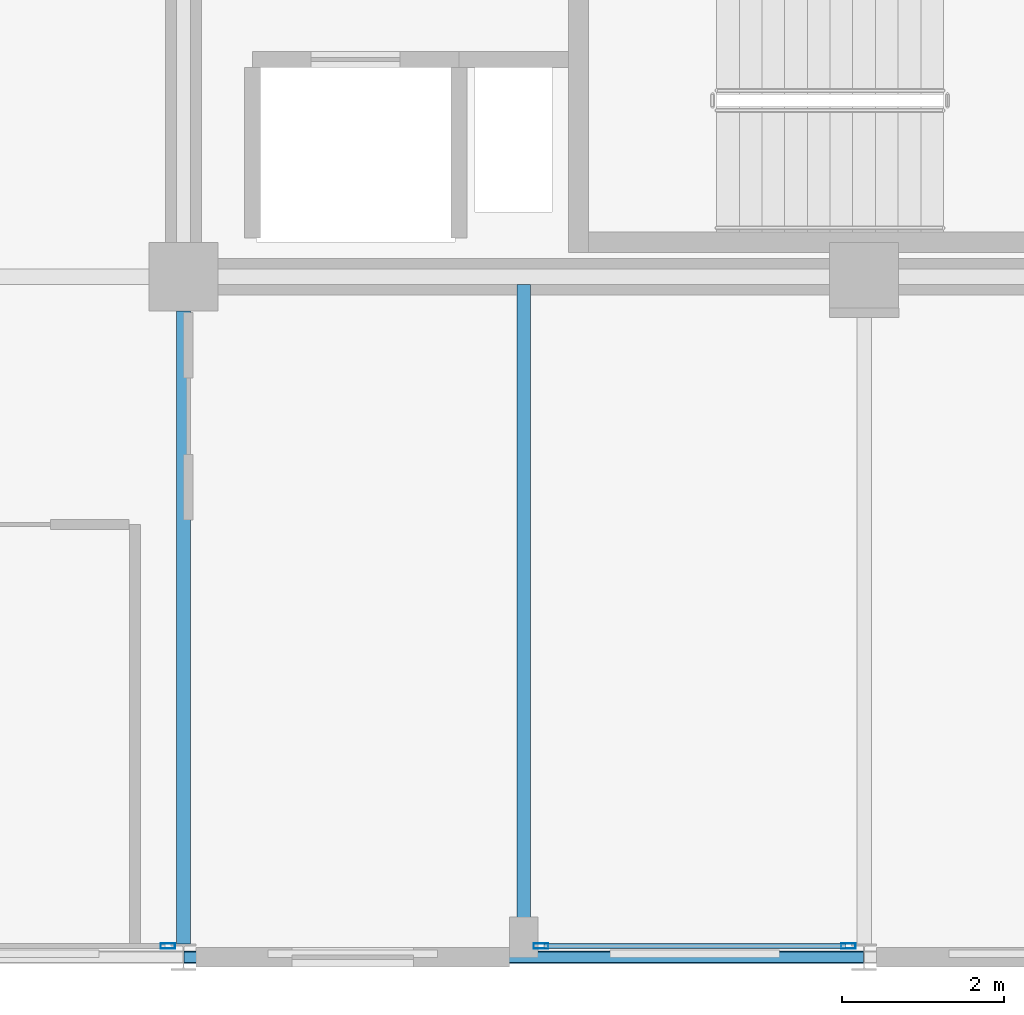
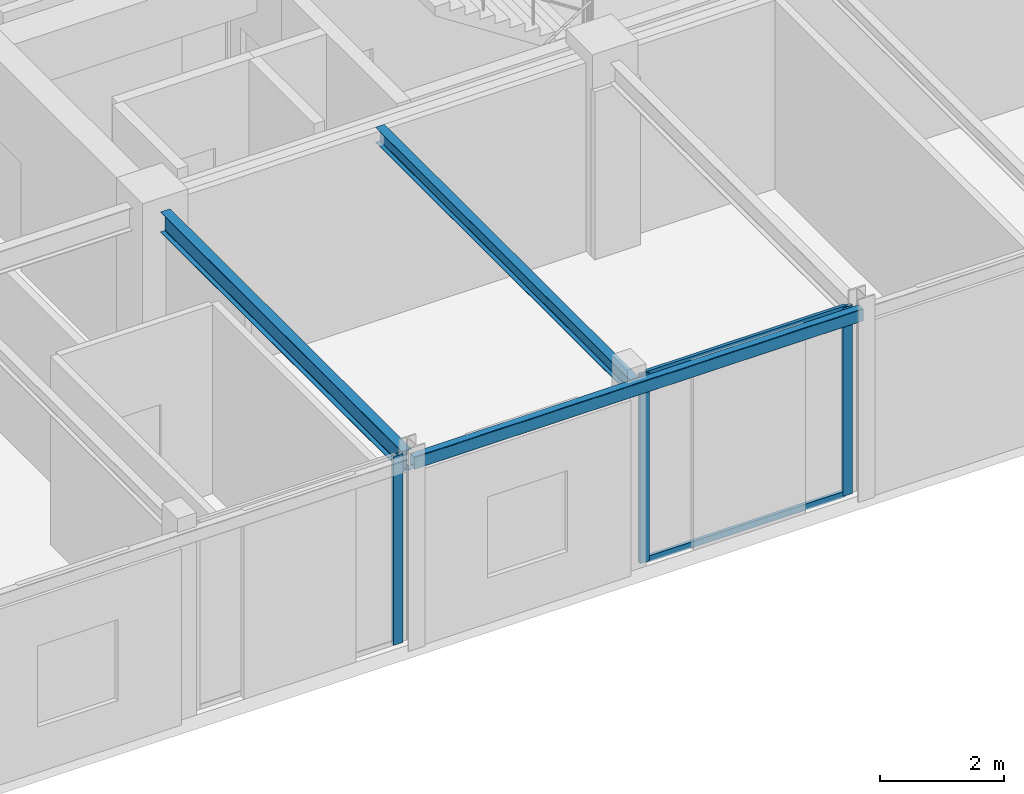
# One storey, part 7 of 26: 5 members, 3 beams, 2 elements without a shape of their own.
"""IFC4 building model written with IfcOpenShell, lengths in metres."""

from ifc_helpers import new_model, si_unit, direction, frame, origin, origin_2d, place, context, subcontext, project, spatial, hollow_rectangle, i_section, extrude, material, layer, layer_set, material_profile, profile_set, type_object, element, aggregate, save


model = new_model("IFC4")

# Units and contexts
model_context = context("Model", 3, precision=1e-05, world=origin(), true_north=direction((0.0, 1.0)))
body_context = subcontext(model_context, "Body", "Model", "MODEL_VIEW")
ifc_project = project(units=[si_unit("LENGTHUNIT", "METRE"), si_unit("AREAUNIT", "SQUARE_METRE"), si_unit("VOLUMEUNIT", "CUBIC_METRE"), si_unit("PLANEANGLEUNIT", "RADIAN"), si_unit("MASSUNIT", "GRAM", prefix="KILO")], contexts=[model_context])

# Site, building, storey
site_placement = place(None, origin())
site = spatial("IfcSite", under=ifc_project, at=site_placement, CompositionType="ELEMENT")
building_placement = place(site_placement, origin())
building = spatial("IfcBuilding", under=site, at=building_placement, Name="Nerrivon Quay Data Exchange", CompositionType="ELEMENT")
storey_placement = place(building_placement, frame((0.0, 0.0, 270.199951171875)))
storey = spatial("IfcBuildingStorey", under=building, at=storey_placement, Name="L64", CompositionType="ELEMENT", Elevation=270.199951171875)

# Beams
ifc_material_1 = material(Name="Steel Grade 350", Category="steel")
ifc_material_profile_1 = material_profile(ifc_material_1, i_section(OverallWidth=0.177978515625, OverallDepth=0.406005859375, WebThickness=0.0078125, FlangeThickness=0.0126953125, FilletRadius=0.011474609375, at=origin_2d()), Name="410UB59.7")
ifc_profile_set_1 = profile_set([ifc_material_profile_1], Name="Steel Grade 350")
beam_type_1 = type_object("IfcBeamType", Name="BM-J1-410UB60", PredefinedType="JOIST", material=ifc_profile_set_1)
beam_1_placement = place(storey_placement, frame((16.800048828125, 0.16357421875, 3.52197265625), z_axis=(0.0, 1.0, 0.0), x_axis=(-1.0, 0.0, 0.0)))
element("IfcBeam", 1, at=beam_1_placement, inside=storey, type_object=beam_type_1, Name="L64 NS Girder X=16.8 (0.0..8.4)", PredefinedType="JOIST", context=body_context, shape_type="SweptSolid", body=[
    extrude(i_section(OverallWidth=0.177978515625, OverallDepth=0.406005859375, WebThickness=0.0078125, FlangeThickness=0.0126953125, FilletRadius=0.011474609375, at=origin_2d()), origin(), (0.0, 0.0, 1.0), 7.8115234375),
])
ifc_material_profile_2 = material_profile(ifc_material_1, i_section(OverallWidth=0.1650390625, OverallDepth=0.303955078125, WebThickness=0.006103515625, FlangeThickness=0.01025390625, FilletRadius=0.011474609375, at=origin_2d()), Name="310UB40.4")
ifc_profile_set_2 = profile_set([ifc_material_profile_2], Name="Steel Grade 350")
beam_type_2 = type_object("IfcBeamType", Name="BM-J6-310UB40", PredefinedType="JOIST", material=ifc_profile_set_2)
beam_2_placement = place(storey_placement, frame((21.0, 0.074951171875, 3.572998046875), z_axis=(0.0, 1.0, 0.0), x_axis=(-1.0, 0.0, 0.0)))
element("IfcBeam", 2, at=beam_2_placement, inside=storey, type_object=beam_type_2, Name="L64 Secondary Joist X=21.0 (0.0..8.4)", PredefinedType="JOIST", context=body_context, shape_type="SweptSolid", body=[
    extrude(i_section(OverallWidth=0.1650390625, OverallDepth=0.303955078125, WebThickness=0.006103515625, FlangeThickness=0.01025390625, FilletRadius=0.011474609375, at=origin_2d()), origin(), (0.0, 0.0, 1.0), 8.22998046875),
])
ifc_material_2 = material(Name="Steel Grade C350L0 (350 MPa)", Category="steel")
ifc_material_profile_3 = material_profile(ifc_material_2, hollow_rectangle(XDim=0.14990234375, YDim=0.25, WallThickness=0.009033203125, InnerFilletRadius=0.013427734375, OuterFilletRadius=0.0224609375, at=origin_2d()), Name="250x150x9.0RHS")
ifc_profile_set_3 = profile_set([ifc_material_profile_3], Name="Steel Grade C350L0 (350 MPa)")
beam_type_3 = type_object("IfcBeamType", Name="BM-SP4-250x150RHS", PredefinedType="SPANDREL", material=ifc_profile_set_3)
beam_3_placement = place(storey_placement, frame((16.807861328125, 0.0, 3.60009765625), z_axis=(1.0, 0.0, 0.0), x_axis=(0.0, 1.0, 0.0)))
element("IfcBeam", 3, at=beam_3_placement, inside=storey, type_object=beam_type_3, Name="L64 EW Girder Y=0.0 (16.8..25.2)", PredefinedType="SPANDREL", context=body_context, shape_type="SweptSolid", body=[
    extrude(hollow_rectangle(XDim=0.14990234375, YDim=0.25, WallThickness=0.009033203125, InnerFilletRadius=0.013427734375, OuterFilletRadius=0.0224609375, at=origin_2d()), origin(), (0.0, 0.0, 1.0), 8.38427734375),
])

# Curtain wall, members
ifc_material_3 = material(Name="Anodised aluminium 6063-T6", Category="aluminium")
ifc_layer = layer(ifc_material_3, 0.195068359375)
ifc_layer_set = layer_set([ifc_layer], Name="Anodised aluminium 6063-T6")
curtain_wall_type = type_object("IfcCurtainWallType", Name="CW-SYS-06", PredefinedType="NOTDEFINED", material=ifc_layer_set)
curtain_wall_1_placement = place(storey_placement, origin())
curtain_wall_1 = element("IfcCurtainWall", 4, at=curtain_wall_1_placement, inside=storey, type_object=curtain_wall_type, Name="L64 Unitised Curtain Wall 4", PredefinedType="NOTDEFINED")
ifc_material_profile_4 = material_profile(ifc_material_3, hollow_rectangle(XDim=0.06494140625, YDim=0.179931640625, WallThickness=0.00341796875, at=origin_2d()), Name="ALU-MULL-180x65")
ifc_profile_set_4 = profile_set([ifc_material_profile_4], Name="Anodised aluminium 6063-T6")
member_type_1 = type_object("IfcMemberType", Name="CWM-180x65", PredefinedType="MULLION", material=ifc_profile_set_4)
member_1_placement = place(storey_placement, frame((25.007080078125, 0.139892578125, 0.0), z_axis=(0.0, 0.0, 1.0), x_axis=(0.0, -1.0, 0.0)))
member_1 = element("IfcMember", 5, at=member_1_placement, type_object=member_type_1, Name="CW06 mullion 1", PredefinedType="MULLION", context=body_context, shape_type="SweptSolid", body=[
    extrude(hollow_rectangle(XDim=0.06494140625, YDim=0.179931640625, WallThickness=0.00341796875, at=origin_2d()), origin(), (0.0, 0.0, 1.0), 3.72509765625),
])
member_2_placement = place(storey_placement, frame((21.21240234375, 0.139892578125, 0.0), z_axis=(0.0, 0.0, 1.0), x_axis=(0.0, -1.0, 0.0)))
member_2 = element("IfcMember", 6, at=member_2_placement, type_object=member_type_1, Name="CW06 mullion 2", PredefinedType="MULLION", context=body_context, shape_type="SweptSolid", body=[
    extrude(hollow_rectangle(XDim=0.06494140625, YDim=0.179931640625, WallThickness=0.00341796875, at=origin_2d()), origin(), (0.0, 0.0, 1.0), 3.72509765625),
])

# Curtain wall, member
curtain_wall_2_placement = place(storey_placement, origin())
curtain_wall_2 = element("IfcCurtainWall", 7, at=curtain_wall_2_placement, inside=storey, type_object=curtain_wall_type, Name="L64 Unitised Curtain Wall 6", PredefinedType="NOTDEFINED")
member_3_placement = place(storey_placement, frame((16.60693359375, 0.139892578125, 0.0), z_axis=(0.0, 0.0, 1.0), x_axis=(0.0, -1.0, 0.0)))
member_3 = element("IfcMember", 8, at=member_3_placement, type_object=member_type_1, Name="CW06 mullion 1", PredefinedType="MULLION", context=body_context, shape_type="SweptSolid", body=[
    extrude(hollow_rectangle(XDim=0.06494140625, YDim=0.179931640625, WallThickness=0.00341796875, at=origin_2d()), origin(), (0.0, 0.0, 1.0), 3.72509765625),
])
aggregate(curtain_wall_2, [member_3])

# Member
ifc_material_profile_5 = material_profile(ifc_material_3, hollow_rectangle(XDim=0.06005859375, YDim=0.1201171875, WallThickness=0.003173828125, at=origin_2d()), Name="ALU-TRAN-120x60")
ifc_profile_set_5 = profile_set([ifc_material_profile_5], Name="Anodised aluminium 6063-T6")
member_type_2 = type_object("IfcMemberType", Name="CWT-120x60", PredefinedType="USERDEFINED", material=ifc_profile_set_5)
member_4_placement = place(storey_placement, frame((24.969482421875, 0.139892578125, 0.032470703125), z_axis=(-1.0, 0.0, 0.0), x_axis=(0.0, -1.0, 0.0)))
member_4 = element("IfcMember", 9, at=member_4_placement, type_object=member_type_2, Name="CW06 transom 1.1", ObjectType="TRANSOM", PredefinedType="USERDEFINED", context=body_context, shape_type="SweptSolid", body=[
    extrude(hollow_rectangle(XDim=0.06005859375, YDim=0.1201171875, WallThickness=0.003173828125, at=origin_2d()), origin(), (0.0, 0.0, 1.0), 3.719482421875),
])

member_5_placement = place(storey_placement, frame((24.969482421875, 0.139892578125, 3.692626953125), z_axis=(-1.0, 0.0, 0.0), x_axis=(0.0, -1.0, 0.0)))
member_5 = element("IfcMember", 10, at=member_5_placement, type_object=member_type_2, Name="CW06 transom 1.2", ObjectType="TRANSOM", PredefinedType="USERDEFINED", context=body_context, shape_type="SweptSolid", body=[
    extrude(hollow_rectangle(XDim=0.06005859375, YDim=0.1201171875, WallThickness=0.003173828125, at=origin_2d()), origin(), (0.0, 0.0, 1.0), 3.719482421875),
])

aggregate(curtain_wall_1, [member_1, member_2, member_4, member_5])

save(model, "model.ifc")
